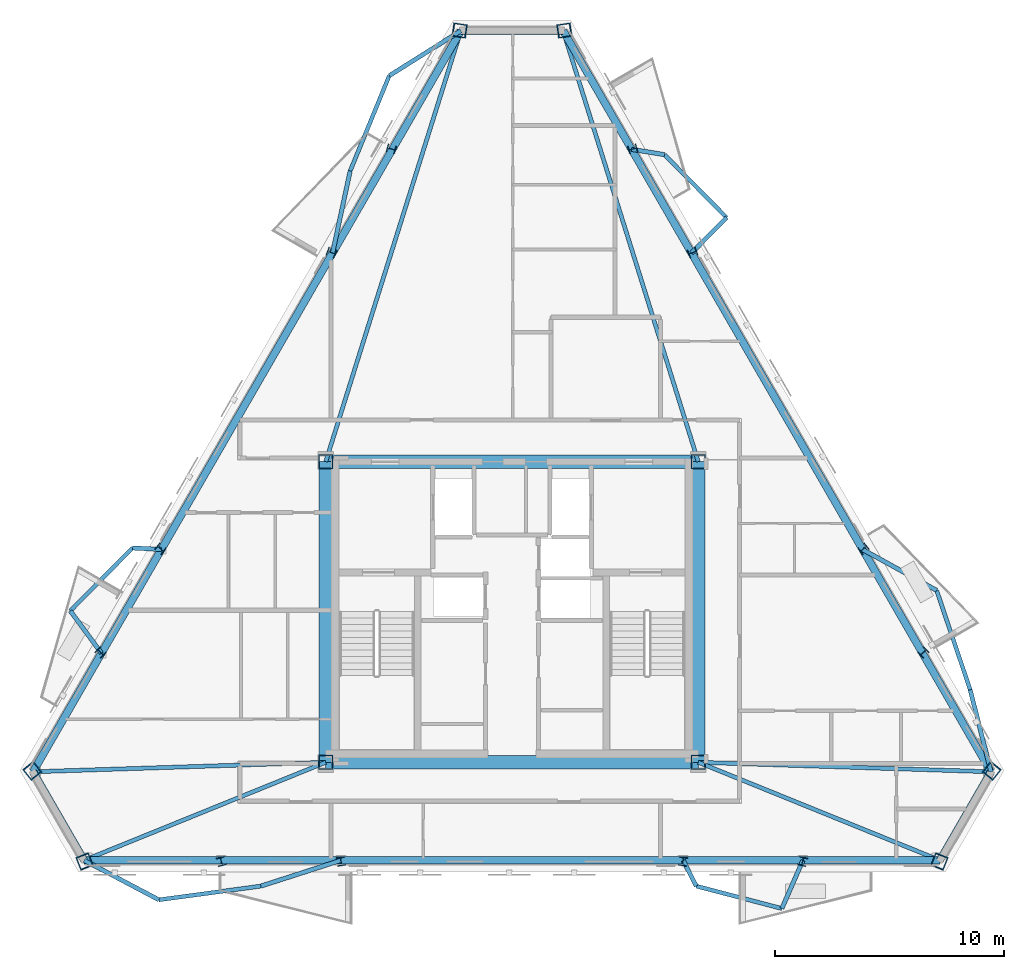
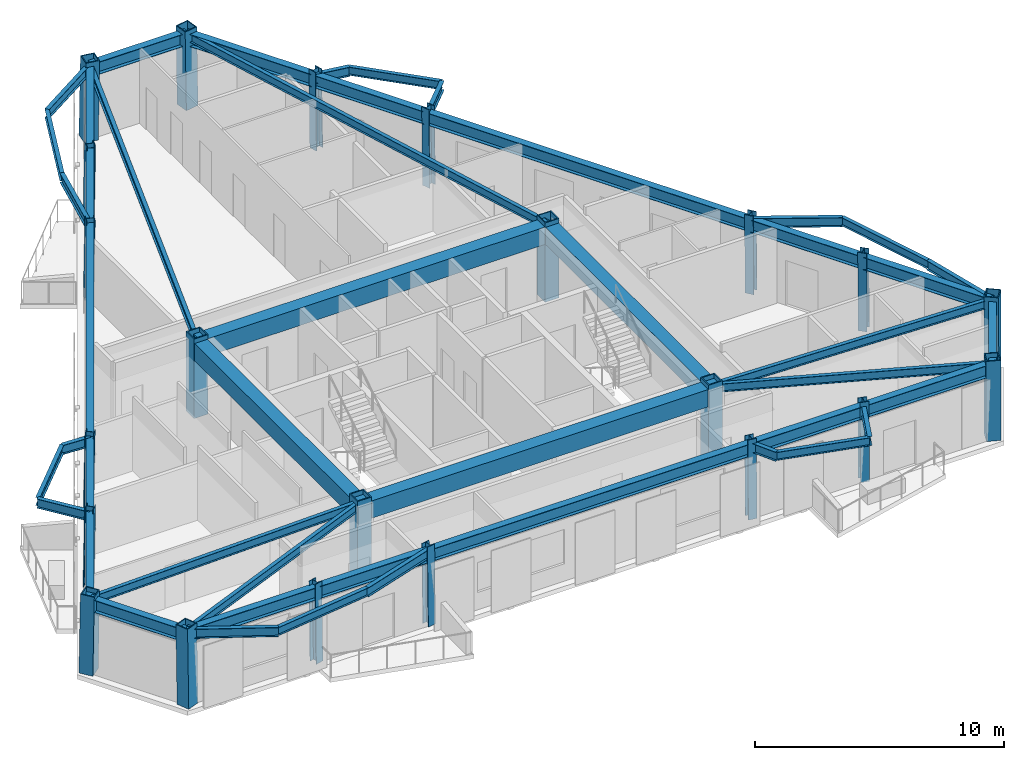
# One storey, part 1 of 9: 46 beams, 22 columns.
"""IFC4 building model written with IfcOpenShell, lengths in metres."""

from ifc_helpers import new_model, si_unit, direction, frame, origin, origin_2d, place, context, subcontext, project, spatial, rectangle, hollow_rectangle, i_section, extrude, material, material_profile, profile_set, type_object, element, save


model = new_model("IFC4")

# Units and contexts
model_context = context("Model", 3, precision=1e-05, world=origin(), true_north=direction((0.0, 1.0)))
body_context = subcontext(model_context, "Body", "Model", "MODEL_VIEW")
ifc_project = project(units=[si_unit("LENGTHUNIT", "METRE"), si_unit("AREAUNIT", "SQUARE_METRE"), si_unit("VOLUMEUNIT", "CUBIC_METRE"), si_unit("PLANEANGLEUNIT", "RADIAN"), si_unit("MASSUNIT", "GRAM", prefix="KILO")], contexts=[model_context])

# Site, building, storey
site_placement = place(None, origin())
site = spatial("IfcSite", under=ifc_project, at=site_placement, CompositionType="ELEMENT")
building_placement = place(site_placement, origin())
building = spatial("IfcBuilding", under=site, at=building_placement, Name="Oramaril Tower", CompositionType="ELEMENT")
storey_placement = place(building_placement, frame((0.0, 0.0, 277.199951171875)))
storey = spatial("IfcBuildingStorey", under=building, at=storey_placement, Name="L73", CompositionType="ELEMENT", Elevation=277.199951171875)

# Columns
ifc_material_1 = material(Name="Steel ASTM A572 Gr 50", Category="steel")
ifc_material_profile_1 = material_profile(ifc_material_1, hollow_rectangle(XDim=0.64990234375, YDim=0.64990234375, WallThickness=0.050048828125, at=origin_2d()), Name="BOX650X650X50")
ifc_profile_set_1 = profile_set([ifc_material_profile_1], Name="Steel ASTM A572 Gr 50")
column_type_1 = type_object("IfcColumnType", Name="CT-CC5", PredefinedType="COLUMN", material=ifc_profile_set_1)
for number, where, z_axis, x_axis, name in (
    (1, (29.35009765625, 11.0, 0.0), (0.0, 0.0, 1.0), (1.0, 0.0, 0.0), "L73 Core Column CC-1"),
    (2, (45.64990234375, 11.0, 0.0), (0.0, 0.0, 1.0), (1.0, 0.0, 0.0), "L73 Core Column CC-2"),
    (3, (45.64990234375, 24.14990234375, 0.0), (0.0, 0.0, 1.0), (1.0, 0.0, 0.0), "L73 Core Column CC-3"),
    (4, (29.35009765625, 24.14990234375, 0.0), (0.0, 0.0, 1.0), (1.0, 0.0, 0.0), "L73 Core Column CC-4"),
):
    element("IfcColumn", number, at=place(storey_placement, frame(where, z_axis=z_axis, x_axis=x_axis)), inside=storey, type_object=column_type_1, Name=name, PredefinedType="COLUMN", context=body_context, shape_type="SweptSolid", body=[
        extrude(hollow_rectangle(XDim=0.64990234375, YDim=0.64990234375, WallThickness=0.050048828125, at=origin_2d()), origin(), (0.0, 0.0, 1.0), 3.900146484375),
    ])
ifc_material_2 = material(Name="Steel ASTM A572 Gr 50", Category="steel")
ifc_material_profile_2 = material_profile(ifc_material_2, hollow_rectangle(XDim=0.60009765625, YDim=0.60009765625, WallThickness=0.044921875, at=origin_2d()), Name="BOX600X600X45")
ifc_profile_set_2 = profile_set([ifc_material_profile_2], Name="Steel ASTM A572 Gr 50")
column_type_2 = type_object("IfcColumnType", Name="CT-TC5", PredefinedType="COLUMN", material=ifc_profile_set_2)
for number, where, z_axis, x_axis, name in (
    (5, (16.50732421875, 10.63330078125, 0.004638671875), (0.010038226476, -0.012610522011, 0.999870095934), (0.782385511742, 0.622794437207, 0.0), "L73 Tube Column TC-01"),
    (6, (18.805419921875, 6.653076171875, 0.004638671875), (-0.005960189651, 0.015057321222, 0.999868868011), (-0.929806613071, -0.368048451007, 0.0), "L73 Tube Column TC-02"),
    (7, (56.194580078125, 6.653076171875, 0.004638671875), (0.005960189651, 0.015057321222, 0.999868868011), (-0.929806613071, 0.368048451007, 0.0), "L73 Tube Column TC-03"),
    (8, (58.49267578125, 10.63330078125, 0.004638671875), (-0.010038226476, -0.012610522011, 0.999870095934), (0.782385511742, -0.622794437207, 0.0), "L73 Tube Column TC-04"),
    (9, (39.798095703125, 43.013427734375, 0.004638671875), (-0.015998408711, -0.002384076592, 0.999869174991), (0.147392038062, -0.989078150156, 0.0), "L73 Tube Column TC-05"),
    (10, (35.201904296875, 43.013427734375, 0.004638671875), (0.015998408711, -0.002384076592, 0.999869174991), (0.147392038062, 0.989078150156, 0.0), "L73 Tube Column TC-06"),
):
    element("IfcColumn", number, at=place(storey_placement, frame(where, z_axis=z_axis, x_axis=x_axis)), inside=storey, type_object=column_type_2, Name=name, PredefinedType="COLUMN", context=body_context, shape_type="SweptSolid", body=[
        extrude(hollow_rectangle(XDim=0.60009765625, YDim=0.60009765625, WallThickness=0.044921875, at=origin_2d()), origin(), (0.0, 0.0, 1.0), 3.891357421875),
    ])
ifc_material_3 = material(Name="Steel ASTM A572 Gr 50", Category="steel")
ifc_material_profile_3 = material_profile(ifc_material_3, i_section(OverallWidth=0.373046875, OverallDepth=0.373046875, WebThickness=0.016357421875, FlangeThickness=0.026123046875, at=origin_2d()), Name="W14X132")
ifc_profile_set_3 = profile_set([ifc_material_profile_3], Name="Steel ASTM A572 Gr 50")
column_type_3 = type_object("IfcColumnType", Name="CT-TF5", PredefinedType="COLUMN", material=ifc_profile_set_3)
for number, where, z_axis, x_axis, name in (
    (11, (24.78759765625, 6.653076171875, 0.004638671875), (-0.004015324611, 0.015057467291, 0.999878567551), (-0.966234939601, -0.25766265056, 0.0), "L73 Tube Column TC-07"),
    (12, (30.022216796875, 6.653076171875, 0.004638671875), (-0.002384111431, 0.015057545883, 0.99988378641), (-0.987696138675, -0.156385221957, 0.0), "L73 Tube Column TC-08"),
    (13, (44.977783203125, 6.653076171875, 0.004638671875), (0.002384111431, 0.015057545883, 0.99988378641), (-0.987696138675, 0.156385221957, 0.0), "L73 Tube Column TC-09"),
    (14, (50.21240234375, 6.653076171875, 0.004638671875), (0.004015324611, 0.015057467291, 0.999878567551), (-0.966234939601, 0.25766265056, 0.0), "L73 Tube Column TC-10"),
    (15, (55.50146484375, 15.814208984375, 0.004638671875), (-0.01097941287, -0.01097941287, 0.999879445226), (0.707106781187, -0.707106781187, 0.0), "L73 Tube Column TC-11"),
    (16, (52.88427734375, 20.347412109375, 0.004638671875), (-0.011857822494, -0.009536449836, 0.999884217382), (0.62670422134, -0.779257222587, 0.0), "L73 Tube Column TC-12"),
    (17, (45.406494140625, 33.299560546875, 0.004638671875), (-0.014241927301, -0.005458359802, 0.999883680142), (0.357876235845, -0.933769029159, 0.0), "L73 Tube Column TC-13"),
    (18, (42.7890625, 37.832763671875, 0.004638671875), (-0.014994738173, -0.004078066867, 0.999879256309), (0.262434079481, -0.964949923015, 0.0), "L73 Tube Column TC-14"),
    (19, (32.2109375, 37.832763671875, 0.004638671875), (0.014994738173, -0.004078066867, 0.999879256309), (0.262434079481, 0.964949923015, 0.0), "L73 Tube Column TC-15"),
    (20, (29.593505859375, 33.299560546875, 0.004638671875), (0.014241927301, -0.005458359802, 0.999883680142), (0.357876235845, 0.933769029159, 0.0), "L73 Tube Column TC-16"),
    (21, (22.11572265625, 20.347412109375, 0.004638671875), (0.011857822494, -0.009536449836, 0.999884217382), (0.62670422134, 0.779257222587, 0.0), "L73 Tube Column TC-17"),
    (22, (19.49853515625, 15.814208984375, 0.004638671875), (0.01097941287, -0.01097941287, 0.999879445226), (0.707106781187, 0.707106781187, 0.0), "L73 Tube Column TC-18"),
):
    element("IfcColumn", number, at=place(storey_placement, frame(where, z_axis=z_axis, x_axis=x_axis)), inside=storey, type_object=column_type_3, Name=name, PredefinedType="COLUMN", context=body_context, shape_type="SweptSolid", body=[
        extrude(i_section(OverallWidth=0.373046875, OverallDepth=0.373046875, WebThickness=0.016357421875, FlangeThickness=0.026123046875, at=origin_2d()), origin(), (0.0, 0.0, 1.0), 3.891357421875),
    ])

# Beams
ifc_material_4 = material(Name="Steel ASTM A572 Gr 50", Category="steel")
ifc_material_profile_4 = material_profile(ifc_material_4, i_section(OverallWidth=0.19091796875, OverallDepth=0.45703125, WebThickness=0.009033203125, FlangeThickness=0.014404296875, at=origin_2d()), Name="W18X50")
ifc_profile_set_4 = profile_set([ifc_material_profile_4], Name="Steel ASTM A572 Gr 50")
beam_type_1 = type_object("IfcBeamType", Name="BT-BB1", PredefinedType="BEAM", material=ifc_profile_set_4)
beam_1_placement = place(storey_placement, frame((18.7822265625, 6.711669921875, 3.45166015625), z_axis=(0.884062224735, -0.467369214644, 0.0), x_axis=(0.467369214644, 0.884062224735, 0.0)))
element("IfcBeam", 23, at=beam_1_placement, inside=storey, type_object=beam_type_1, Name="L73 Balcony Column-Framed Cantilever 01.1", PredefinedType="BEAM", context=body_context, shape_type="SweptSolid", body=[
    extrude(i_section(OverallWidth=0.19091796875, OverallDepth=0.45703125, WebThickness=0.009033203125, FlangeThickness=0.014404296875, at=origin_2d()), origin(), (0.0, 0.0, 1.0), 3.699951171875),
])
beam_2_placement = place(storey_placement, frame((30.012939453125, 6.711669921875, 3.45166015625), z_axis=(-0.951758048003, -0.306849503929, 0.0), x_axis=(0.306849503929, -0.951758048003, 0.0)))
element("IfcBeam", 24, at=beam_2_placement, inside=storey, type_object=beam_type_1, Name="L73 Balcony Column-Framed Cantilever 01.2", PredefinedType="BEAM", context=body_context, shape_type="SweptSolid", body=[
    extrude(i_section(OverallWidth=0.19091796875, OverallDepth=0.45703125, WebThickness=0.009033203125, FlangeThickness=0.014404296875, at=origin_2d()), origin(), (0.0, 0.0, 1.0), 3.676513671875),
])
beam_3_placement = place(storey_placement, frame((44.987060546875, 6.711669921875, 3.45166015625), z_axis=(0.453605064841, -0.891202808092, 0.0), x_axis=(0.891202808092, 0.453605064841, 0.0)))
element("IfcBeam", 25, at=beam_3_placement, inside=storey, type_object=beam_type_1, Name="L73 Balcony Column-Framed Cantilever 02.1", PredefinedType="BEAM", context=body_context, shape_type="SweptSolid", body=[
    extrude(i_section(OverallWidth=0.19091796875, OverallDepth=0.45703125, WebThickness=0.009033203125, FlangeThickness=0.014404296875, at=origin_2d()), origin(), (0.0, 0.0, 1.0), 1.265869140625),
])
beam_4_placement = place(storey_placement, frame((50.22802734375, 6.711669921875, 3.45166015625), z_axis=(-0.400924576274, -0.916111065395, 0.0), x_axis=(0.916111065395, -0.400924576274, 0.0)))
element("IfcBeam", 26, at=beam_4_placement, inside=storey, type_object=beam_type_1, Name="L73 Balcony Column-Framed Cantilever 02.2", PredefinedType="BEAM", context=body_context, shape_type="SweptSolid", body=[
    extrude(i_section(OverallWidth=0.19091796875, OverallDepth=0.45703125, WebThickness=0.009033203125, FlangeThickness=0.014404296875, at=origin_2d()), origin(), (0.0, 0.0, 1.0), 2.30126953125),
])
beam_5_placement = place(storey_placement, frame((58.45361328125, 10.584228515625, 3.45166015625), z_axis=(-0.245391254889, 0.969424123913, 0.0), x_axis=(-0.969424123913, -0.245391254889, 0.0)))
element("IfcBeam", 27, at=beam_5_placement, inside=storey, type_object=beam_type_1, Name="L73 Balcony Column-Framed Cantilever 03.1", PredefinedType="BEAM", context=body_context, shape_type="SweptSolid", body=[
    extrude(i_section(OverallWidth=0.19091796875, OverallDepth=0.45703125, WebThickness=0.009033203125, FlangeThickness=0.014404296875, at=origin_2d()), origin(), (0.0, 0.0, 1.0), 3.699951171875),
])
beam_6_placement = place(storey_placement, frame((52.838134765625, 20.310302734375, 3.45166015625), z_axis=(0.875160666903, -0.483832416345, 0.0), x_axis=(0.483832416345, 0.875160666903, 0.0)))
element("IfcBeam", 28, at=beam_6_placement, inside=storey, type_object=beam_type_1, Name="L73 Balcony Column-Framed Cantilever 03.2", PredefinedType="BEAM", context=body_context, shape_type="SweptSolid", body=[
    extrude(i_section(OverallWidth=0.19091796875, OverallDepth=0.45703125, WebThickness=0.009033203125, FlangeThickness=0.014404296875, at=origin_2d()), origin(), (0.0, 0.0, 1.0), 3.7001953125),
])
beam_7_placement = place(storey_placement, frame((45.35107421875, 33.2783203125, 3.45166015625), z_axis=(0.704251402408, 0.709950675897, 0.0), x_axis=(-0.709950675897, 0.704251402408, 0.0)))
element("IfcBeam", 29, at=beam_7_placement, inside=storey, type_object=beam_type_1, Name="L73 Balcony Column-Framed Cantilever 04.1", PredefinedType="BEAM", context=body_context, shape_type="SweptSolid", body=[
    extrude(i_section(OverallWidth=0.19091796875, OverallDepth=0.45703125, WebThickness=0.009033203125, FlangeThickness=0.014404296875, at=origin_2d()), origin(), (0.0, 0.0, 1.0), 2.184814453125),
])
beam_8_placement = place(storey_placement, frame((42.730712890625, 37.81689453125, 3.45166015625), z_axis=(0.986900783051, -0.161328374483, 0.0), x_axis=(0.161328374483, 0.986900783051, 0.0)))
element("IfcBeam", 30, at=beam_8_placement, inside=storey, type_object=beam_type_1, Name="L73 Balcony Column-Framed Cantilever 04.2", PredefinedType="BEAM", context=body_context, shape_type="SweptSolid", body=[
    extrude(i_section(OverallWidth=0.19091796875, OverallDepth=0.45703125, WebThickness=0.009033203125, FlangeThickness=0.014404296875, at=origin_2d()), origin(), (0.0, 0.0, 1.0), 1.457275390625),
])
beam_9_placement = place(storey_placement, frame((35.26416015625, 43.004150390625, 3.45166015625), z_axis=(-0.846798752878, -0.531913406604, 0.0), x_axis=(0.531913406604, -0.846798752878, 0.0)))
element("IfcBeam", 31, at=beam_9_placement, inside=storey, type_object=beam_type_1, Name="L73 Balcony Column-Framed Cantilever 05.1", PredefinedType="BEAM", context=body_context, shape_type="SweptSolid", body=[
    extrude(i_section(OverallWidth=0.19091796875, OverallDepth=0.45703125, WebThickness=0.009033203125, FlangeThickness=0.014404296875, at=origin_2d()), origin(), (0.0, 0.0, 1.0), 3.699951171875),
])
beam_10_placement = place(storey_placement, frame((29.64892578125, 33.2783203125, 3.45166015625), z_axis=(0.210182110444, 0.977662252749, 0.0), x_axis=(-0.977662252749, 0.210182110444, 0.0)))
element("IfcBeam", 32, at=beam_10_placement, inside=storey, type_object=beam_type_1, Name="L73 Balcony Column-Framed Cantilever 05.2", PredefinedType="BEAM", context=body_context, shape_type="SweptSolid", body=[
    extrude(i_section(OverallWidth=0.19091796875, OverallDepth=0.45703125, WebThickness=0.009033203125, FlangeThickness=0.014404296875, at=origin_2d()), origin(), (0.0, 0.0, 1.0), 3.67626953125),
])
beam_11_placement = place(storey_placement, frame((22.161865234375, 20.310302734375, 3.45166015625), z_axis=(-0.998613030392, 0.052649933816, 0.0), x_axis=(-0.052649933816, -0.998613030392, 0.0)))
element("IfcBeam", 33, at=beam_11_placement, inside=storey, type_object=beam_type_1, Name="L73 Balcony Column-Framed Cantilever 06.1", PredefinedType="BEAM", context=body_context, shape_type="SweptSolid", body=[
    extrude(i_section(OverallWidth=0.19091796875, OverallDepth=0.45703125, WebThickness=0.009033203125, FlangeThickness=0.014404296875, at=origin_2d()), origin(), (0.0, 0.0, 1.0), 1.265869140625),
])
beam_12_placement = place(storey_placement, frame((19.541259765625, 15.771484375, 3.45166015625), z_axis=(-0.592880504527, 0.805290449063, 0.0), x_axis=(-0.805290449063, -0.592880504527, 0.0)))
element("IfcBeam", 34, at=beam_12_placement, inside=storey, type_object=beam_type_1, Name="L73 Balcony Column-Framed Cantilever 06.2", PredefinedType="BEAM", context=body_context, shape_type="SweptSolid", body=[
    extrude(i_section(OverallWidth=0.19091796875, OverallDepth=0.45703125, WebThickness=0.009033203125, FlangeThickness=0.014404296875, at=origin_2d()), origin(), (0.0, 0.0, 1.0), 2.301025390625),
])
ifc_material_5 = material(Name="Concrete C50/60", Category="concrete")
ifc_material_profile_5 = material_profile(ifc_material_5, rectangle(XDim=0.60009765625, YDim=0.85009765625, at=origin_2d()), Name="CB600X850")
ifc_profile_set_5 = profile_set([ifc_material_profile_5], Name="Concrete C50/60")
beam_type_2 = type_object("IfcBeamType", Name="BT-CB2", PredefinedType="BEAM", material=ifc_profile_set_5)
beam_13_placement = place(storey_placement, frame((29.35009765625, 11.0, 3.255126953125), z_axis=(1.0, 0.0, 0.0), x_axis=(0.0, 1.0, 0.0)))
element("IfcBeam", 35, at=beam_13_placement, inside=storey, type_object=beam_type_2, Name="L73 Core Header Beam CB-1", PredefinedType="BEAM", context=body_context, shape_type="SweptSolid", body=[
    extrude(rectangle(XDim=0.60009765625, YDim=0.85009765625, at=origin_2d()), origin(), (0.0, 0.0, 1.0), 16.2998046875),
])
beam_14_placement = place(storey_placement, frame((45.64990234375, 11.0, 3.255126953125), z_axis=(0.0, 1.0, 0.0), x_axis=(-1.0, 0.0, 0.0)))
element("IfcBeam", 36, at=beam_14_placement, inside=storey, type_object=beam_type_2, Name="L73 Core Header Beam CB-2", PredefinedType="BEAM", context=body_context, shape_type="SweptSolid", body=[
    extrude(rectangle(XDim=0.60009765625, YDim=0.85009765625, at=origin_2d()), origin(), (0.0, 0.0, 1.0), 13.14990234375),
])
beam_15_placement = place(storey_placement, frame((45.64990234375, 24.14990234375, 3.255126953125), z_axis=(-1.0, 0.0, 0.0), x_axis=(0.0, -1.0, 0.0)))
element("IfcBeam", 37, at=beam_15_placement, inside=storey, type_object=beam_type_2, Name="L73 Core Header Beam CB-3", PredefinedType="BEAM", context=body_context, shape_type="SweptSolid", body=[
    extrude(rectangle(XDim=0.60009765625, YDim=0.85009765625, at=origin_2d()), origin(), (0.0, 0.0, 1.0), 16.2998046875),
])
beam_16_placement = place(storey_placement, frame((29.35009765625, 24.14990234375, 3.255126953125), z_axis=(0.0, -1.0, 0.0), x_axis=(1.0, 0.0, 0.0)))
element("IfcBeam", 38, at=beam_16_placement, inside=storey, type_object=beam_type_2, Name="L73 Core Header Beam CB-4", PredefinedType="BEAM", context=body_context, shape_type="SweptSolid", body=[
    extrude(rectangle(XDim=0.60009765625, YDim=0.85009765625, at=origin_2d()), origin(), (0.0, 0.0, 1.0), 13.14990234375),
])
ifc_material_6 = material(Name="Steel ASTM A572 Gr 50", Category="steel")
ifc_material_profile_6 = material_profile(ifc_material_6, i_section(OverallWidth=0.177978515625, OverallDepth=0.404052734375, WebThickness=0.007568359375, FlangeThickness=0.010986328125, at=origin_2d()), Name="W16X36")
ifc_profile_set_6 = profile_set([ifc_material_profile_6], Name="Steel ASTM A572 Gr 50")
beam_type_3 = type_object("IfcBeamType", Name="BT-SB1", PredefinedType="BEAM", material=ifc_profile_set_6)
beam_17_placement = place(storey_placement, frame((29.35009765625, 11.0, 3.47802734375), z_axis=(-0.999473177417, -0.032455625451, 0.0), x_axis=(0.032455625451, -0.999473177417, 0.0)))
element("IfcBeam", 39, at=beam_17_placement, inside=storey, type_object=beam_type_3, Name="L73 Radial Primary Beam RB-01", PredefinedType="BEAM", context=body_context, shape_type="SweptSolid", body=[
    extrude(i_section(OverallWidth=0.177978515625, OverallDepth=0.404052734375, WebThickness=0.007568359375, FlangeThickness=0.010986328125, at=origin_2d()), origin(), (0.0, 0.0, 1.0), 12.810546875),
])
for number, where, z_axis, x_axis, name in (
    (40, (29.35009765625, 11.0, 3.47802734375), (-0.926615329599, -0.376010679305, 0.0), (0.376010679305, -0.926615329599, 0.0), "L73 Radial Primary Beam RB-02"),
    (41, (45.64990234375, 11.0, 3.47802734375), (0.926615329599, -0.376010679305, 0.0), (0.376010679305, 0.926615329599, 0.0), "L73 Radial Primary Beam RB-03"),
):
    element("IfcBeam", number, at=place(storey_placement, frame(where, z_axis=z_axis, x_axis=x_axis)), inside=storey, type_object=beam_type_3, Name=name, PredefinedType="BEAM", context=body_context, shape_type="SweptSolid", body=[
        extrude(i_section(OverallWidth=0.177978515625, OverallDepth=0.404052734375, WebThickness=0.007568359375, FlangeThickness=0.010986328125, at=origin_2d()), origin(), (0.0, 0.0, 1.0), 11.40478515625),
    ])
beam_18_placement = place(storey_placement, frame((45.64990234375, 11.0, 3.47802734375), z_axis=(0.999473177417, -0.032455625451, 0.0), x_axis=(0.032455625451, 0.999473177417, 0.0)))
element("IfcBeam", 42, at=beam_18_placement, inside=storey, type_object=beam_type_3, Name="L73 Radial Primary Beam RB-04", PredefinedType="BEAM", context=body_context, shape_type="SweptSolid", body=[
    extrude(i_section(OverallWidth=0.177978515625, OverallDepth=0.404052734375, WebThickness=0.007568359375, FlangeThickness=0.010986328125, at=origin_2d()), origin(), (0.0, 0.0, 1.0), 12.810546875),
])
for number, where, z_axis, x_axis, name in (
    (43, (45.64990234375, 24.14990234375, 3.47802734375), (-0.29929419923, 0.95416087863, 0.0), (-0.95416087863, -0.29929419923, 0.0), "L73 Radial Primary Beam RB-05"),
    (44, (29.35009765625, 24.14990234375, 3.47802734375), (0.29929419923, 0.95416087863, 0.0), (-0.95416087863, 0.29929419923, 0.0), "L73 Radial Primary Beam RB-06"),
):
    element("IfcBeam", number, at=place(storey_placement, frame(where, z_axis=z_axis, x_axis=x_axis)), inside=storey, type_object=beam_type_3, Name=name, PredefinedType="BEAM", context=body_context, shape_type="SweptSolid", body=[
        extrude(i_section(OverallWidth=0.177978515625, OverallDepth=0.404052734375, WebThickness=0.007568359375, FlangeThickness=0.010986328125, at=origin_2d()), origin(), (0.0, 0.0, 1.0), 19.760009765625),
    ])
beam_19_placement = place(storey_placement, frame((22.05322265625, 4.982421875, 3.47802734375), z_axis=(0.99104217006, 0.133549306113, 0.0), x_axis=(-0.133549306113, 0.99104217006, 0.0)))
element("IfcBeam", 45, at=beam_19_placement, inside=storey, type_object=beam_type_3, Name="L73 Balcony Edge Tie Beam 01", PredefinedType="BEAM", context=body_context, shape_type="SweptSolid", body=[
    extrude(i_section(OverallWidth=0.177978515625, OverallDepth=0.404052734375, WebThickness=0.007568359375, FlangeThickness=0.010986328125, at=origin_2d()), origin(), (0.0, 0.0, 1.0), 4.500732421875),
])
beam_20_placement = place(storey_placement, frame((45.561279296875, 5.58349609375, 3.47802734375), z_axis=(0.967411967632, -0.253207592467, 0.0), x_axis=(0.253207592467, 0.967411967632, 0.0)))
element("IfcBeam", 46, at=beam_20_placement, inside=storey, type_object=beam_type_3, Name="L73 Balcony Edge Tie Beam 02", PredefinedType="BEAM", context=body_context, shape_type="SweptSolid", body=[
    extrude(i_section(OverallWidth=0.177978515625, OverallDepth=0.404052734375, WebThickness=0.007568359375, FlangeThickness=0.010986328125, at=origin_2d()), origin(), (0.0, 0.0, 1.0), 3.870361328125),
])
beam_21_placement = place(storey_placement, frame((57.545654296875, 14.171142578125, 3.47802734375), z_axis=(-0.320070481658, 0.947393733762, 0.0), x_axis=(-0.947393733762, -0.320070481658, 0.0)))
element("IfcBeam", 47, at=beam_21_placement, inside=storey, type_object=beam_type_3, Name="L73 Balcony Edge Tie Beam 03", PredefinedType="BEAM", context=body_context, shape_type="SweptSolid", body=[
    extrude(i_section(OverallWidth=0.177978515625, OverallDepth=0.404052734375, WebThickness=0.007568359375, FlangeThickness=0.010986328125, at=origin_2d()), origin(), (0.0, 0.0, 1.0), 4.59033203125),
])
beam_22_placement = place(storey_placement, frame((46.8896484375, 34.829345703125, 3.47802734375), z_axis=(-0.702994511648, 0.71119527318, 0.0), x_axis=(-0.71119527318, -0.702994511648, 0.0)))
element("IfcBeam", 48, at=beam_22_placement, inside=storey, type_object=beam_type_3, Name="L73 Balcony Edge Tie Beam 04", PredefinedType="BEAM", context=body_context, shape_type="SweptSolid", body=[
    extrude(i_section(OverallWidth=0.177978515625, OverallDepth=0.404052734375, WebThickness=0.007568359375, FlangeThickness=0.010986328125, at=origin_2d()), origin(), (0.0, 0.0, 1.0), 3.8701171875),
])
beam_23_placement = place(storey_placement, frame((32.131103515625, 41.0361328125, 3.47802734375), z_axis=(-0.379811104954, -0.925064065108, 0.0), x_axis=(0.925064065108, -0.379811104954, 0.0)))
element("IfcBeam", 49, at=beam_23_placement, inside=storey, type_object=beam_type_3, Name="L73 Balcony Edge Tie Beam 05", PredefinedType="BEAM", context=body_context, shape_type="SweptSolid", body=[
    extrude(i_section(OverallWidth=0.177978515625, OverallDepth=0.404052734375, WebThickness=0.007568359375, FlangeThickness=0.010986328125, at=origin_2d()), origin(), (0.0, 0.0, 1.0), 4.500732421875),
])
beam_24_placement = place(storey_placement, frame((20.897705078125, 20.376953125, 3.47802734375), z_axis=(-0.702994511648, -0.71119527318, 0.0), x_axis=(0.71119527318, -0.702994511648, 0.0)))
element("IfcBeam", 50, at=beam_24_placement, inside=storey, type_object=beam_type_3, Name="L73 Balcony Edge Tie Beam 06", PredefinedType="BEAM", context=body_context, shape_type="SweptSolid", body=[
    extrude(i_section(OverallWidth=0.177978515625, OverallDepth=0.404052734375, WebThickness=0.007568359375, FlangeThickness=0.010986328125, at=origin_2d()), origin(), (0.0, 0.0, 1.0), 3.8701171875),
])
ifc_material_7 = material(Name="Steel ASTM A572 Gr 50", Category="steel")
ifc_material_profile_7 = material_profile(ifc_material_7, i_section(OverallWidth=0.324951171875, OverallDepth=0.612060546875, WebThickness=0.0126953125, FlangeThickness=0.01904296875, at=origin_2d()), Name="W24X104")
ifc_profile_set_7 = profile_set([ifc_material_profile_7], Name="Steel ASTM A572 Gr 50")
beam_type_4 = type_object("IfcBeamType", Name="BT-SP5", PredefinedType="SPANDREL", material=ifc_profile_set_7)
beam_25_placement = place(storey_placement, frame((16.54638671875, 10.584228515625, 3.3740234375), z_axis=(0.500002867593, -0.866023748172, 0.0), x_axis=(0.866023748172, 0.500002867593, 0.0)))
element("IfcBeam", 51, at=beam_25_placement, inside=storey, type_object=beam_type_4, Name="L73 Perimeter Spandrel 01", PredefinedType="SPANDREL", context=body_context, shape_type="SweptSolid", body=[
    extrude(i_section(OverallWidth=0.324951171875, OverallDepth=0.612060546875, WebThickness=0.0126953125, FlangeThickness=0.01904296875, at=origin_2d()), origin(), (0.0, 0.0, 1.0), 4.4716796875),
])
beam_26_placement = place(storey_placement, frame((18.7822265625, 6.711669921875, 3.3740234375), z_axis=(1.0, 0.0, 0.0), x_axis=(0.0, 1.0, 0.0)))
element("IfcBeam", 52, at=beam_26_placement, inside=storey, type_object=beam_type_4, Name="L73 Perimeter Spandrel 02", PredefinedType="SPANDREL", context=body_context, shape_type="SweptSolid", body=[
    extrude(i_section(OverallWidth=0.324951171875, OverallDepth=0.612060546875, WebThickness=0.0126953125, FlangeThickness=0.01904296875, at=origin_2d()), origin(), (0.0, 0.0, 1.0), 5.98974609375),
])
beam_27_placement = place(storey_placement, frame((24.77197265625, 6.711669921875, 3.3740234375), z_axis=(1.0, 0.0, 0.0), x_axis=(0.0, 1.0, 0.0)))
element("IfcBeam", 53, at=beam_27_placement, inside=storey, type_object=beam_type_4, Name="L73 Perimeter Spandrel 03", PredefinedType="SPANDREL", context=body_context, shape_type="SweptSolid", body=[
    extrude(i_section(OverallWidth=0.324951171875, OverallDepth=0.612060546875, WebThickness=0.0126953125, FlangeThickness=0.01904296875, at=origin_2d()), origin(), (0.0, 0.0, 1.0), 5.240966796875),
])
beam_28_placement = place(storey_placement, frame((30.012939453125, 6.711669921875, 3.3740234375), z_axis=(1.0, 0.0, 0.0), x_axis=(0.0, 1.0, 0.0)))
element("IfcBeam", 54, at=beam_28_placement, inside=storey, type_object=beam_type_4, Name="L73 Perimeter Spandrel 04", PredefinedType="SPANDREL", context=body_context, shape_type="SweptSolid", body=[
    extrude(i_section(OverallWidth=0.324951171875, OverallDepth=0.612060546875, WebThickness=0.0126953125, FlangeThickness=0.01904296875, at=origin_2d()), origin(), (0.0, 0.0, 1.0), 14.97412109375),
])
beam_29_placement = place(storey_placement, frame((44.987060546875, 6.711669921875, 3.3740234375), z_axis=(1.0, 0.0, 0.0), x_axis=(0.0, 1.0, 0.0)))
element("IfcBeam", 55, at=beam_29_placement, inside=storey, type_object=beam_type_4, Name="L73 Perimeter Spandrel 05", PredefinedType="SPANDREL", context=body_context, shape_type="SweptSolid", body=[
    extrude(i_section(OverallWidth=0.324951171875, OverallDepth=0.612060546875, WebThickness=0.0126953125, FlangeThickness=0.01904296875, at=origin_2d()), origin(), (0.0, 0.0, 1.0), 5.240966796875),
])
beam_30_placement = place(storey_placement, frame((50.22802734375, 6.711669921875, 3.3740234375), z_axis=(1.0, 0.0, 0.0), x_axis=(0.0, 1.0, 0.0)))
element("IfcBeam", 56, at=beam_30_placement, inside=storey, type_object=beam_type_4, Name="L73 Perimeter Spandrel 06", PredefinedType="SPANDREL", context=body_context, shape_type="SweptSolid", body=[
    extrude(i_section(OverallWidth=0.324951171875, OverallDepth=0.612060546875, WebThickness=0.0126953125, FlangeThickness=0.01904296875, at=origin_2d()), origin(), (0.0, 0.0, 1.0), 5.98974609375),
])
beam_31_placement = place(storey_placement, frame((56.2177734375, 6.711669921875, 3.3740234375), z_axis=(0.500002867593, 0.866023748172, 0.0), x_axis=(-0.866023748172, 0.500002867593, 0.0)))
element("IfcBeam", 57, at=beam_31_placement, inside=storey, type_object=beam_type_4, Name="L73 Perimeter Spandrel 07", PredefinedType="SPANDREL", context=body_context, shape_type="SweptSolid", body=[
    extrude(i_section(OverallWidth=0.324951171875, OverallDepth=0.612060546875, WebThickness=0.0126953125, FlangeThickness=0.01904296875, at=origin_2d()), origin(), (0.0, 0.0, 1.0), 4.4716796875),
])
beam_32_placement = place(storey_placement, frame((58.45361328125, 10.584228515625, 3.3740234375), z_axis=(-0.500001187045, 0.866024718443, 0.0), x_axis=(-0.866024718443, -0.500001187045, 0.0)))
element("IfcBeam", 58, at=beam_32_placement, inside=storey, type_object=beam_type_4, Name="L73 Perimeter Spandrel 08", PredefinedType="SPANDREL", context=body_context, shape_type="SweptSolid", body=[
    extrude(i_section(OverallWidth=0.324951171875, OverallDepth=0.612060546875, WebThickness=0.0126953125, FlangeThickness=0.01904296875, at=origin_2d()), origin(), (0.0, 0.0, 1.0), 5.98974609375),
])
beam_33_placement = place(storey_placement, frame((55.458740234375, 15.771484375, 3.3740234375), z_axis=(-0.500016809634, 0.86601569852, 0.0), x_axis=(-0.86601569852, -0.500016809634, 0.0)))
element("IfcBeam", 59, at=beam_33_placement, inside=storey, type_object=beam_type_4, Name="L73 Perimeter Spandrel 09", PredefinedType="SPANDREL", context=body_context, shape_type="SweptSolid", body=[
    extrude(i_section(OverallWidth=0.324951171875, OverallDepth=0.612060546875, WebThickness=0.0126953125, FlangeThickness=0.01904296875, at=origin_2d()), origin(), (0.0, 0.0, 1.0), 5.240966796875),
])
beam_34_placement = place(storey_placement, frame((52.838134765625, 20.310302734375, 3.3740234375), z_axis=(-0.499998602957, 0.866026210366, 0.0), x_axis=(-0.866026210366, -0.499998602957, 0.0)))
element("IfcBeam", 60, at=beam_34_placement, inside=storey, type_object=beam_type_4, Name="L73 Perimeter Spandrel 10", PredefinedType="SPANDREL", context=body_context, shape_type="SweptSolid", body=[
    extrude(i_section(OverallWidth=0.324951171875, OverallDepth=0.612060546875, WebThickness=0.0126953125, FlangeThickness=0.01904296875, at=origin_2d()), origin(), (0.0, 0.0, 1.0), 14.97412109375),
])
beam_35_placement = place(storey_placement, frame((45.35107421875, 33.2783203125, 3.3740234375), z_axis=(-0.500002043789, 0.866024223799, 0.0), x_axis=(-0.866024223799, -0.500002043789, 0.0)))
element("IfcBeam", 61, at=beam_35_placement, inside=storey, type_object=beam_type_4, Name="L73 Perimeter Spandrel 11", PredefinedType="SPANDREL", context=body_context, shape_type="SweptSolid", body=[
    extrude(i_section(OverallWidth=0.324951171875, OverallDepth=0.612060546875, WebThickness=0.0126953125, FlangeThickness=0.01904296875, at=origin_2d()), origin(), (0.0, 0.0, 1.0), 5.24072265625),
])
beam_36_placement = place(storey_placement, frame((42.730712890625, 37.81689453125, 3.3740234375), z_axis=(-0.500001187045, 0.866024718443, 0.0), x_axis=(-0.866024718443, -0.500001187045, 0.0)))
element("IfcBeam", 62, at=beam_36_placement, inside=storey, type_object=beam_type_4, Name="L73 Perimeter Spandrel 12", PredefinedType="SPANDREL", context=body_context, shape_type="SweptSolid", body=[
    extrude(i_section(OverallWidth=0.324951171875, OverallDepth=0.612060546875, WebThickness=0.0126953125, FlangeThickness=0.01904296875, at=origin_2d()), origin(), (0.0, 0.0, 1.0), 5.98974609375),
])
beam_37_placement = place(storey_placement, frame((39.73583984375, 43.004150390625, 3.3740234375), z_axis=(-1.0, 0.0, 0.0), x_axis=(0.0, -1.0, 0.0)))
element("IfcBeam", 63, at=beam_37_placement, inside=storey, type_object=beam_type_4, Name="L73 Perimeter Spandrel 13", PredefinedType="SPANDREL", context=body_context, shape_type="SweptSolid", body=[
    extrude(i_section(OverallWidth=0.324951171875, OverallDepth=0.612060546875, WebThickness=0.0126953125, FlangeThickness=0.01904296875, at=origin_2d()), origin(), (0.0, 0.0, 1.0), 4.4716796875),
])
beam_38_placement = place(storey_placement, frame((35.26416015625, 43.004150390625, 3.3740234375), z_axis=(-0.500001187045, -0.866024718443, 0.0), x_axis=(0.866024718443, -0.500001187045, 0.0)))
element("IfcBeam", 64, at=beam_38_placement, inside=storey, type_object=beam_type_4, Name="L73 Perimeter Spandrel 14", PredefinedType="SPANDREL", context=body_context, shape_type="SweptSolid", body=[
    extrude(i_section(OverallWidth=0.324951171875, OverallDepth=0.612060546875, WebThickness=0.0126953125, FlangeThickness=0.01904296875, at=origin_2d()), origin(), (0.0, 0.0, 1.0), 5.98974609375),
])
beam_39_placement = place(storey_placement, frame((32.269287109375, 37.81689453125, 3.3740234375), z_axis=(-0.500002043789, -0.866024223799, 0.0), x_axis=(0.866024223799, -0.500002043789, 0.0)))
element("IfcBeam", 65, at=beam_39_placement, inside=storey, type_object=beam_type_4, Name="L73 Perimeter Spandrel 15", PredefinedType="SPANDREL", context=body_context, shape_type="SweptSolid", body=[
    extrude(i_section(OverallWidth=0.324951171875, OverallDepth=0.612060546875, WebThickness=0.0126953125, FlangeThickness=0.01904296875, at=origin_2d()), origin(), (0.0, 0.0, 1.0), 5.24072265625),
])
beam_40_placement = place(storey_placement, frame((29.64892578125, 33.2783203125, 3.3740234375), z_axis=(-0.499998602957, -0.866026210366, 0.0), x_axis=(0.866026210366, -0.499998602957, 0.0)))
element("IfcBeam", 66, at=beam_40_placement, inside=storey, type_object=beam_type_4, Name="L73 Perimeter Spandrel 16", PredefinedType="SPANDREL", context=body_context, shape_type="SweptSolid", body=[
    extrude(i_section(OverallWidth=0.324951171875, OverallDepth=0.612060546875, WebThickness=0.0126953125, FlangeThickness=0.01904296875, at=origin_2d()), origin(), (0.0, 0.0, 1.0), 14.97412109375),
])
beam_41_placement = place(storey_placement, frame((22.161865234375, 20.310302734375, 3.3740234375), z_axis=(-0.500016809634, -0.86601569852, 0.0), x_axis=(0.86601569852, -0.500016809634, 0.0)))
element("IfcBeam", 67, at=beam_41_placement, inside=storey, type_object=beam_type_4, Name="L73 Perimeter Spandrel 17", PredefinedType="SPANDREL", context=body_context, shape_type="SweptSolid", body=[
    extrude(i_section(OverallWidth=0.324951171875, OverallDepth=0.612060546875, WebThickness=0.0126953125, FlangeThickness=0.01904296875, at=origin_2d()), origin(), (0.0, 0.0, 1.0), 5.240966796875),
])
beam_42_placement = place(storey_placement, frame((19.541259765625, 15.771484375, 3.3740234375), z_axis=(-0.500001187045, -0.866024718443, 0.0), x_axis=(0.866024718443, -0.500001187045, 0.0)))
element("IfcBeam", 68, at=beam_42_placement, inside=storey, type_object=beam_type_4, Name="L73 Perimeter Spandrel 18", PredefinedType="SPANDREL", context=body_context, shape_type="SweptSolid", body=[
    extrude(i_section(OverallWidth=0.324951171875, OverallDepth=0.612060546875, WebThickness=0.0126953125, FlangeThickness=0.01904296875, at=origin_2d()), origin(), (0.0, 0.0, 1.0), 5.98974609375),
])

save(model, "model.ifc")
